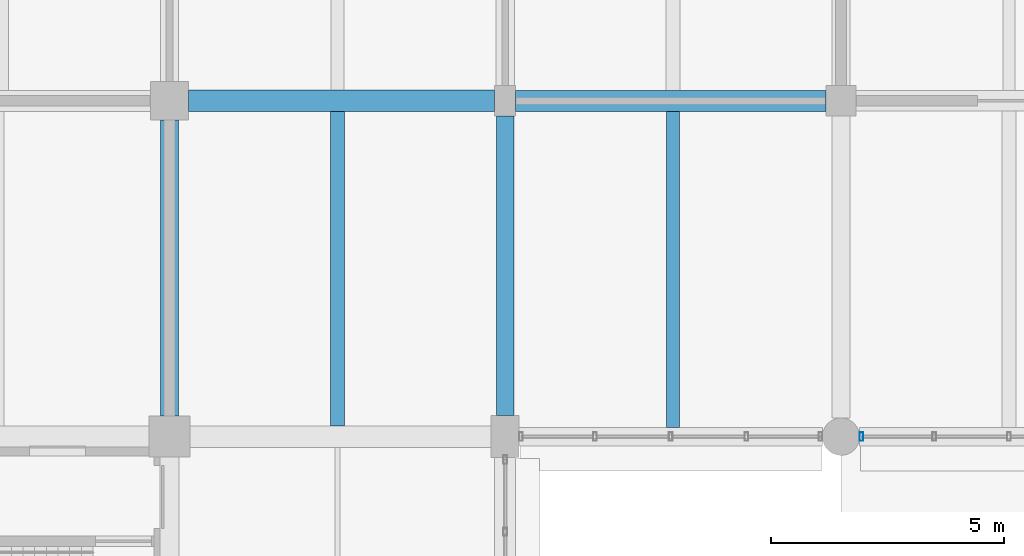
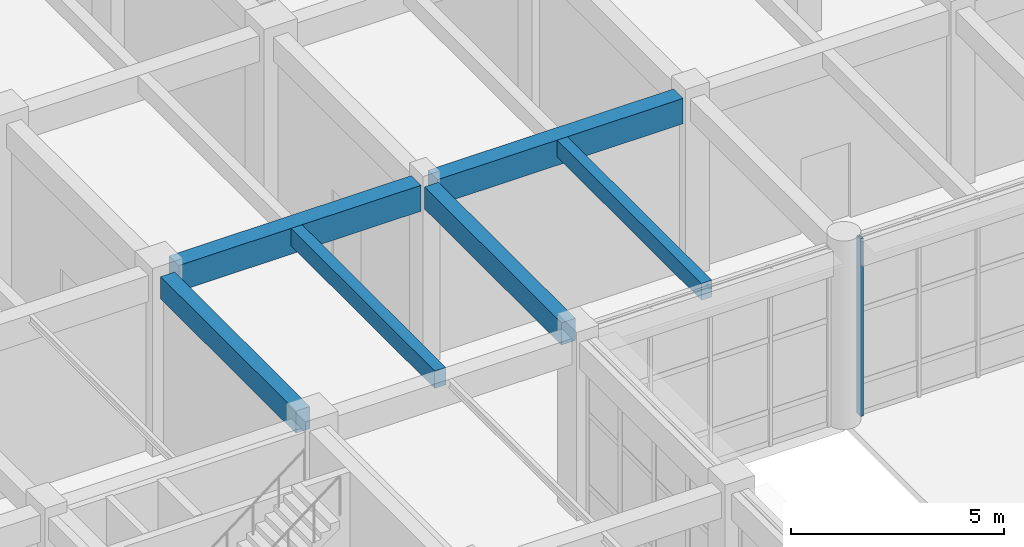
# One storey, part 25 of 160: 6 beams, 1 member, 1 element without a shape of its own.
"""IFC4 building model written with IfcOpenShell, lengths in metres."""

import ifcopenshell
import ifcopenshell.guid

model = None  # the IFC model being written
_history = None  # IfcOwnerHistory: only IFC2X3 demands one
_inside = {}  # id of a spatial element -> (the spatial element, [elements in it])
_under = {}  # id of a project, library or spatial element -> (it, [spatial elements below it])
_declared = {}  # id of a project -> (the project, [libraries it declares])
_typed = {}  # id of a type object -> (the type object, [elements of that type])
_made_of = {}  # id of a material, layer set ... -> (it, [elements and type objects made of it])


def new_model(schema):
    """Start an empty IFC model of exactly this schema.

    Asked for "IFC4X3", IfcOpenShell would pick the latest addendum, in which some entities
    have other attributes; the version numbers below select the first issue.
    IFC2X3 requires an IfcOwnerHistory on every rooted entity: one is made here for all.
    """
    global model, _history
    if schema == "IFC4X3":
        model = ifcopenshell.file(schema_version=(4, 3, 0, 0))
    else:
        model = ifcopenshell.file(schema=schema)
    _inside.clear()
    _under.clear()
    _declared.clear()
    _typed.clear()
    _made_of.clear()
    _history = None
    if model.schema == "IFC2X3":
        org = make("IfcOrganization", Name="unknown")
        user = make(
            "IfcPersonAndOrganization",
            ThePerson=make("IfcPerson", FamilyName="unknown"),
            TheOrganization=org,
        )
        app = make(
            "IfcApplication",
            ApplicationDeveloper=org,
            Version="unknown",
            ApplicationFullName="unknown",
            ApplicationIdentifier="unknown",
        )
        _history = make(
            "IfcOwnerHistory",
            OwningUser=user,
            OwningApplication=app,
            ChangeAction="ADDED",
            CreationDate=0,
        )
    return model


def make(cls, **values):
    """One entity of the class cls with the attributes given. An attribute that is None is left unset."""
    return model.create_entity(
        cls, **{name: value for name, value in values.items() if value is not None}
    )


def rooted(cls, **values):
    """An entity with a GlobalId (a new one), such as an element, a storey or a relation."""
    return make(cls, GlobalId=ifcopenshell.guid.new(), OwnerHistory=_history, **values)


def si_unit(unit_type, name, prefix=None):
    """IfcSIUnit, for example si_unit("LENGTHUNIT", "METRE", prefix="MILLI")."""
    return make("IfcSIUnit", UnitType=unit_type, Prefix=prefix, Name=name)


def assignment(units):
    """IfcUnitAssignment: the units of a project."""
    return None if units is None else make("IfcUnitAssignment", Units=units)


def point(xyz):
    """IfcCartesianPoint."""
    return None if xyz is None else make("IfcCartesianPoint", Coordinates=xyz)


def direction(xyz):
    """IfcDirection."""
    return None if xyz is None else make("IfcDirection", DirectionRatios=xyz)


def frame(location, z_axis=None, x_axis=None):
    """IfcAxis2Placement3D, a coordinate frame: its origin and axes. An axis left out is left unset."""
    return make(
        "IfcAxis2Placement3D",
        Location=point(location),
        Axis=direction(z_axis),
        RefDirection=direction(x_axis),
    )


def frame_2d(location, x_axis=None):
    """IfcAxis2Placement2D, a coordinate frame in the plane: its origin and x axis."""
    return make(
        "IfcAxis2Placement2D", Location=point(location), RefDirection=direction(x_axis)
    )


def origin():
    """The frame at (0, 0, 0) with its axes left unset."""
    return frame((0.0, 0.0, 0.0))


def origin_2d():
    """The frame at (0, 0) in the plane with its x axis left unset."""
    return frame_2d((0.0, 0.0))


def place(relative_to, where):
    """IfcLocalPlacement: puts the frame where relative to a parent placement (None: the world)."""
    return make(
        "IfcLocalPlacement", PlacementRelTo=relative_to, RelativePlacement=where
    )


def context(
    kind, dimensions, precision=None, world=None, true_north=None, identifier=None
):
    """IfcGeometricRepresentationContext, for example the 3D "Model" context."""
    return make(
        "IfcGeometricRepresentationContext",
        ContextIdentifier=identifier,
        ContextType=kind,
        CoordinateSpaceDimension=dimensions,
        Precision=precision,
        WorldCoordinateSystem=world,
        TrueNorth=true_north,
    )


def subcontext(parent, identifier, kind, view, scale=None):
    """IfcGeometricRepresentationSubContext, for example "Body" below "Model"."""
    return make(
        "IfcGeometricRepresentationSubContext",
        ContextIdentifier=identifier,
        ContextType=kind,
        ParentContext=parent,
        TargetScale=scale,
        TargetView=view,
    )


def project(units=None, contexts=None):
    """IfcProject with its units and contexts."""
    return rooted(
        "IfcProject",
        Name="project",
        RepresentationContexts=contexts,
        UnitsInContext=assignment(units),
    )


def spatial(cls, under=None, at=None, **own):
    """A site, building, storey or space (cls), placed at a placement, below another one or the project."""
    s = rooted(cls, ObjectPlacement=at, **own)
    if under is not None:
        _under.setdefault(under.id(), (under, []))[1].append(s)
    return s


def profile(cls, at=None, kind="AREA", **sizes):
    """A parametric profile (cls). Its sizes go by their IFC names, for example OverallWidth=200.0."""
    return make(cls, ProfileType=kind, Position=at, **sizes)


def rectangle(**sizes):
    """IfcRectangleProfileDef."""
    return profile("IfcRectangleProfileDef", **sizes)


def hollow_rectangle(**sizes):
    """IfcRectangleHollowProfileDef."""
    return profile("IfcRectangleHollowProfileDef", **sizes)


def extrude(swept, where, along, depth):
    """IfcExtrudedAreaSolid: the profile swept, set in the frame where, extruded along a direction by depth."""
    return make(
        "IfcExtrudedAreaSolid",
        SweptArea=swept,
        Position=where,
        ExtrudedDirection=direction(along),
        Depth=depth,
    )


def shape(context_of_items, identifier, shape_type, items):
    """IfcShapeRepresentation: the items that make up one representation, for example the "Body"."""
    return make(
        "IfcShapeRepresentation",
        ContextOfItems=context_of_items,
        RepresentationIdentifier=identifier,
        RepresentationType=shape_type,
        Items=items,
    )


def material(Name=None, Category=None):
    """IfcMaterial."""
    return make("IfcMaterial", Name=Name, Category=Category)


def material_profile(
    of_material, cross_section, Name=None, Category=None, Priority=None
):
    """IfcMaterialProfile: a cross section and its material."""
    return make(
        "IfcMaterialProfile",
        Name=Name,
        Material=of_material,
        Profile=cross_section,
        Priority=Priority,
        Category=Category,
    )


def profile_set(profiles, Name=None, composite=None):
    """IfcMaterialProfileSet."""
    return make(
        "IfcMaterialProfileSet",
        Name=Name,
        MaterialProfiles=profiles,
        CompositeProfile=composite,
    )


def made_of(thing, what):
    """Note that an element or type object is made of a material, layer set ...; save() writes the relation."""
    if what is not None:
        _made_of.setdefault(what.id(), (what, []))[1].append(thing)
    return thing


def type_object(cls, material=None, **own):
    """A type object (cls), such as IfcWallType, which elements share."""
    return made_of(rooted(cls, **own), material)


def element(
    cls,
    number,
    at=None,
    inside=None,
    cuts=None,
    type_object=None,
    material=None,
    context=None,
    identifier="Body",
    shape_type=None,
    held_by="IfcProductDefinitionShape",
    body=None,
    shapes=None,
    **own,
):
    """One element of the class cls, such as IfcWall. Its Tag is "e" and its number.

    at: its placement. inside: the storey or other place that contains it. cuts: it is an
    opening in that element (IfcRelVoidsElement). A single representation is given by context,
    identifier, shape_type and body (its items); several are given by shapes. held_by: the class
    of the entity that holds the representations. save() writes the other relations.
    """
    e = rooted(cls, Tag="e%d" % number, ObjectPlacement=at, **own)
    if body is not None:
        shapes = [shape(context, identifier, shape_type, body)]
    if shapes is not None:
        e.Representation = make(held_by, Representations=shapes)
    if inside is not None:
        _inside.setdefault(inside.id(), (inside, []))[1].append(e)
    if cuts is not None:
        rooted(
            "IfcRelVoidsElement", RelatingBuildingElement=cuts, RelatedOpeningElement=e
        )
    if type_object is not None:
        _typed.setdefault(type_object.id(), (type_object, []))[1].append(e)
    return made_of(e, material)


def aggregate(whole, parts):
    """IfcRelAggregates: a whole, such as a stair, and the parts it consists of."""
    return rooted("IfcRelAggregates", RelatingObject=whole, RelatedObjects=parts)


def save(model, path):
    """Write the relations noted so far, then the file.

    IfcRelAggregates (storeys below a building ...), IfcRelContainedInSpatialStructure (elements
    in a storey), IfcRelDefinesByType, IfcRelAssociatesMaterial and IfcRelDeclares: one each for
    every whole, place, type object, material and project.
    """
    for whole, parts in _under.values():
        aggregate(whole, parts)
    for where, things in _inside.values():
        rooted(
            "IfcRelContainedInSpatialStructure",
            RelatedElements=things,
            RelatingStructure=where,
        )
    for kind, things in _typed.values():
        rooted("IfcRelDefinesByType", RelatedObjects=things, RelatingType=kind)
    for what, things in _made_of.values():
        rooted("IfcRelAssociatesMaterial", RelatedObjects=things, RelatingMaterial=what)
    for by, libraries in _declared.values():
        rooted("IfcRelDeclares", RelatingContext=by, RelatedDefinitions=libraries)
    model.write(path)


model = new_model("IFC4")

# Units and contexts
model_context = context("Model", 3, precision=1e-05, world=origin(), true_north=direction((0.0, 1.0)))
body_context = subcontext(model_context, "Body", "Model", "MODEL_VIEW")
ifc_project = project(units=[si_unit("LENGTHUNIT", "METRE"), si_unit("AREAUNIT", "SQUARE_METRE"), si_unit("VOLUMEUNIT", "CUBIC_METRE"), si_unit("PLANEANGLEUNIT", "RADIAN"), si_unit("MASSUNIT", "GRAM", prefix="KILO")], contexts=[model_context])

# Site, building, storey
site_placement = place(None, origin())
site = spatial("IfcSite", under=ifc_project, at=site_placement, CompositionType="ELEMENT")
building_placement = place(site_placement, origin())
building = spatial("IfcBuilding", under=site, at=building_placement, Name="Thalmaran Polytechnic", CompositionType="ELEMENT")
storey_placement = place(building_placement, origin())
storey = spatial("IfcBuildingStorey", under=building, at=storey_placement, Name="L00", CompositionType="ELEMENT", Elevation=0.0)

# Beams
ifc_material_1 = material(Name="Concrete C40/50", Category="concrete")
ifc_material_profile_1 = material_profile(ifc_material_1, rectangle(XDim=0.449951171875, YDim=0.72509765625, at=origin_2d()), Name="RC 450x725")
ifc_profile_set_1 = profile_set([ifc_material_profile_1], Name="Concrete C40/50")
beam_type_1 = type_object("IfcBeamType", Name="BM-RC04", PredefinedType="BEAM", material=ifc_profile_set_1)
beam_1_placement = place(storey_placement, frame((21.824951171875, 57.60009765625, 4.7275390625), z_axis=(1.0, 0.0, 0.0), x_axis=(0.0, 1.0, 0.0)))
element("IfcBeam", 1, at=beam_1_placement, inside=storey, type_object=beam_type_1, Name="Grid Beam B04 L00 X(3,8)", PredefinedType="BEAM", context=body_context, shape_type="SweptSolid", body=[
    extrude(rectangle(XDim=0.449951171875, YDim=0.72509765625, at=origin_2d()), origin(), (0.0, 0.0, 1.0), 6.650146484375),
])
ifc_material_profile_2 = material_profile(ifc_material_1, rectangle(XDim=0.300048828125, YDim=0.5, at=origin_2d()), Name="RC 300x500")
ifc_profile_set_2 = profile_set([ifc_material_profile_2], Name="Concrete C40/50")
beam_type_2 = type_object("IfcBeamType", Name="BM-RC11", PredefinedType="JOIST", material=ifc_profile_set_2)
beam_2_placement = place(storey_placement, frame((18.0, 50.6298828125, 4.840087890625), z_axis=(0.0, 1.0, 0.0), x_axis=(-1.0, 0.0, 0.0)))
element("IfcBeam", 2, at=beam_2_placement, inside=storey, type_object=beam_type_2, Name="Secondary Floor Rib RB01 L00 (2,7)", PredefinedType="JOIST", context=body_context, shape_type="SweptSolid", body=[
    extrude(rectangle(XDim=0.300048828125, YDim=0.5, at=origin_2d()), origin(), (0.0, 0.0, 1.0), 6.740234375),
])
ifc_material_profile_3 = material_profile(ifc_material_1, rectangle(XDim=0.4599609375, YDim=0.739990234375, at=origin_2d()), Name="RC 460x740")
ifc_profile_set_3 = profile_set([ifc_material_profile_3], Name="Concrete C40/50")
beam_type_3 = type_object("IfcBeamType", Name="BM-ZB02", PredefinedType="BEAM", material=ifc_profile_set_3)
beam_3_placement = place(storey_placement, frame((14.81005859375, 57.60009765625, 4.719970703125), z_axis=(1.0, 0.0, 0.0), x_axis=(0.0, 1.0, 0.0)))
element("IfcBeam", 3, at=beam_3_placement, inside=storey, type_object=beam_type_3, Name="Grid Beam ZB02 L00 X(2,8)", PredefinedType="BEAM", context=body_context, shape_type="SweptSolid", body=[
    extrude(rectangle(XDim=0.4599609375, YDim=0.739990234375, at=origin_2d()), origin(), (0.0, 0.0, 1.0), 6.56494140625),
])
ifc_material_profile_4 = material_profile(ifc_material_1, rectangle(XDim=0.3798828125, YDim=0.635009765625, at=origin_2d()), Name="RC 380x635")
ifc_profile_set_4 = profile_set([ifc_material_profile_4], Name="Concrete C40/50")
beam_type_4 = type_object("IfcBeamType", Name="BM-ZB06", PredefinedType="BEAM", material=ifc_profile_set_4)
beam_4_placement = place(storey_placement, frame((14.39990234375, 50.840087890625, 4.7724609375), z_axis=(0.0, 1.0, 0.0), x_axis=(-1.0, 0.0, 0.0)))
element("IfcBeam", 4, at=beam_4_placement, inside=storey, type_object=beam_type_4, Name="Grid Beam ZB06 L00 Y(2,7)", PredefinedType="BEAM", context=body_context, shape_type="SweptSolid", body=[
    extrude(rectangle(XDim=0.3798828125, YDim=0.635009765625, at=origin_2d()), origin(), (0.0, 0.0, 1.0), 6.349853515625),
])
beam_5_placement = place(storey_placement, frame((21.60009765625, 50.85009765625, 4.7724609375), z_axis=(0.0, 1.0, 0.0), x_axis=(-1.0, 0.0, 0.0)))
element("IfcBeam", 5, at=beam_5_placement, inside=storey, type_object=beam_type_4, Name="Grid Beam ZB06 L00 Y(3,7)", PredefinedType="BEAM", context=body_context, shape_type="SweptSolid", body=[
    extrude(rectangle(XDim=0.3798828125, YDim=0.635009765625, at=origin_2d()), origin(), (0.0, 0.0, 1.0), 6.4248046875),
])
ifc_material_profile_5 = material_profile(ifc_material_1, rectangle(XDim=0.280029296875, YDim=0.47998046875, at=origin_2d()), Name="RC 280x480")
ifc_profile_set_5 = profile_set([ifc_material_profile_5], Name="Concrete C40/50")
beam_type_5 = type_object("IfcBeamType", Name="BM-ZJ01", PredefinedType="JOIST", material=ifc_profile_set_5)
beam_6_placement = place(storey_placement, frame((25.199951171875, 50.60009765625, 4.85009765625), z_axis=(0.0, 1.0, 0.0), x_axis=(-1.0, 0.0, 0.0)))
element("IfcBeam", 6, at=beam_6_placement, inside=storey, type_object=beam_type_5, Name="Secondary Floor Rib ZJ01 L00 (3,7)", PredefinedType="JOIST", context=body_context, shape_type="SweptSolid", body=[
    extrude(rectangle(XDim=0.280029296875, YDim=0.47998046875, at=origin_2d()), origin(), (0.0, 0.0, 1.0), 6.77490234375),
])

# Curtain wall, member
ifc_material_2 = material(Name="Aluminium 6063-T6", Category="aluminium")
curtain_wall_type = type_object("IfcCurtainWallType", Name="CW-SC01", PredefinedType="USERDEFINED", material=ifc_material_2)
curtain_wall_placement = place(storey_placement, origin())
curtain_wall = element("IfcCurtainWall", 7, at=curtain_wall_placement, inside=storey, type_object=curtain_wall_type, Name="Curtain Wall CW-L00-043", ObjectType="STICK CURTAIN WALL", PredefinedType="USERDEFINED")
ifc_material_profile_6 = material_profile(ifc_material_2, hollow_rectangle(XDim=0.080078125, YDim=0.179931640625, WallThickness=0.0048828125, at=origin_2d()), Name="RHS 180x80x5.0")
ifc_profile_set_6 = profile_set([ifc_material_profile_6], Name="Aluminium 6063-T6")
member_type = type_object("IfcMemberType", Name="CW-MUL1", PredefinedType="MULLION", material=ifc_profile_set_6)
member_placement = place(storey_placement, frame((29.239990234375, 50.39990234375, 0.0), z_axis=(0.0, 0.0, 1.0), x_axis=(1.0, 0.0, 0.0)))
member = element("IfcMember", 8, at=member_placement, type_object=member_type, Name="CW-L00-043 Mullion 5", PredefinedType="MULLION", context=body_context, shape_type="SweptSolid", body=[
    extrude(hollow_rectangle(XDim=0.080078125, YDim=0.179931640625, WallThickness=0.0048828125, at=origin_2d()), origin(), (0.0, 0.0, 1.0), 5.090087890625),
])
aggregate(curtain_wall, [member])

save(model, "model.ifc")
